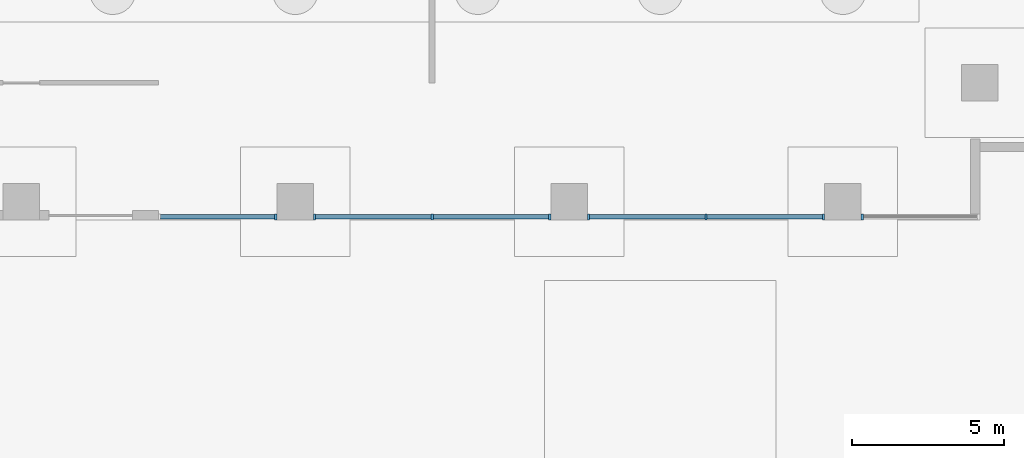
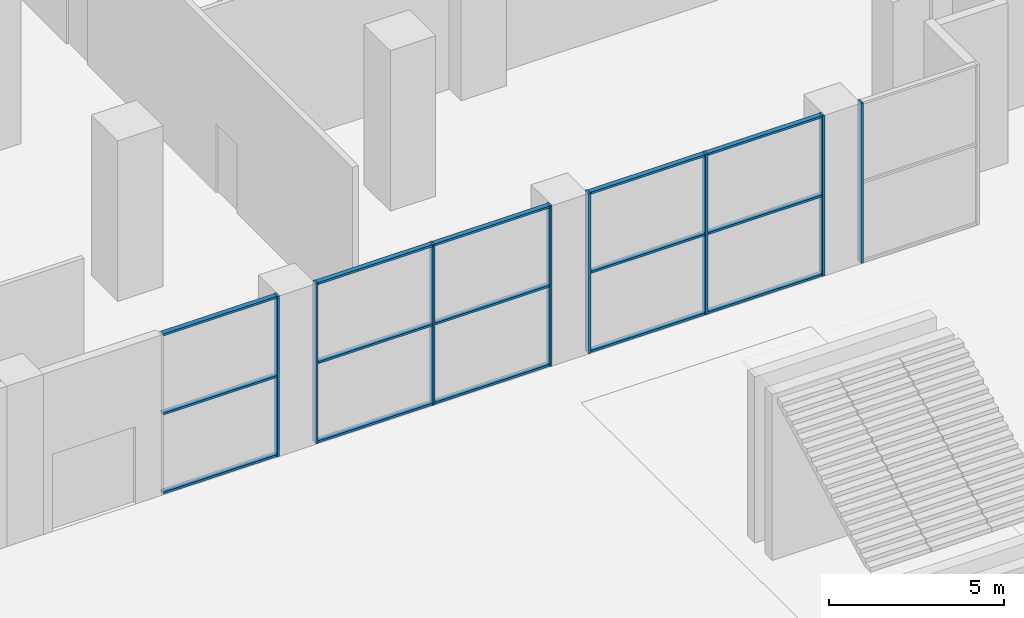
# One storey, part 3 of 20: 23 members, 4 elements without a shape of their own.
"""IFC4 building model written with IfcOpenShell, lengths in metres."""

from ifc_helpers import new_model, si_unit, direction, frame, origin, origin_2d, place, context, subcontext, project, spatial, rectangle, extrude, material, material_profile, profile_set, type_object, element, aggregate, save


model = new_model("IFC4")

# Units and contexts
model_context = context("Model", 3, precision=1e-05, world=origin(), true_north=direction((0.0, 1.0)))
body_context = subcontext(model_context, "Body", "Model", "MODEL_VIEW")
ifc_project = project(units=[si_unit("LENGTHUNIT", "METRE"), si_unit("AREAUNIT", "SQUARE_METRE"), si_unit("VOLUMEUNIT", "CUBIC_METRE"), si_unit("PLANEANGLEUNIT", "RADIAN"), si_unit("MASSUNIT", "GRAM", prefix="KILO")], contexts=[model_context])

# Site, building, storey
site_placement = place(None, origin())
site = spatial("IfcSite", under=ifc_project, at=site_placement, CompositionType="ELEMENT")
building_placement = place(site_placement, origin())
building = spatial("IfcBuilding", under=site, at=building_placement, Name="Orbiselva Terraces", CompositionType="ELEMENT")
storey_placement = place(building_placement, origin())
storey = spatial("IfcBuildingStorey", under=building, at=storey_placement, Name="L00", CompositionType="ELEMENT", Elevation=0.0)

# Curtain wall, member
ifc_material_1 = material(Name="Clear low-e glazing in aluminium frame", Category="aluminium")
curtain_wall_type = type_object("IfcCurtainWallType", Name="ENV-CW-LOBBY", PredefinedType="NOTDEFINED", material=ifc_material_1)
curtain_wall_1_placement = place(storey_placement, origin())
curtain_wall_1 = element("IfcCurtainWall", 1, at=curtain_wall_1_placement, inside=storey, type_object=curtain_wall_type, Name="Curtain wall L00 S", PredefinedType="NOTDEFINED")
ifc_material_2 = material(Name="Anodised aluminium", Category="aluminium")
ifc_material_profile_1 = material_profile(ifc_material_2, rectangle(XDim=0.2, YDim=0.075, at=origin_2d()), Name="AL 75x200")
ifc_profile_set_1 = profile_set([ifc_material_profile_1], Name="Anodised aluminium")
member_type_1 = type_object("IfcMemberType", Name="ENV-CW-LOBBY-MULLION-75x200", PredefinedType="MULLION", material=ifc_profile_set_1)
member_1_placement = place(storey_placement, frame((8.3625, -31.4, 0.0), z_axis=(0.0, 0.0, 1.0), x_axis=(0.0, 1.0, 0.0)))
member_1 = element("IfcMember", 2, at=member_1_placement, type_object=member_type_1, Name="CW1 mullion 2", PredefinedType="MULLION", context=body_context, shape_type="SweptSolid", body=[
    extrude(rectangle(XDim=0.2, YDim=0.075, at=origin_2d()), origin(), (0.0, 0.0, 1.0), 5.6),
])

# Curtain wall, members
curtain_wall_2_placement = place(storey_placement, origin())
curtain_wall_2 = element("IfcCurtainWall", 3, at=curtain_wall_2_placement, inside=storey, type_object=curtain_wall_type, Name="Curtain wall L00 S", PredefinedType="NOTDEFINED")
member_2_placement = place(storey_placement, frame((9.6375, -31.4, 0.0), z_axis=(0.0, 0.0, 1.0), x_axis=(0.0, 1.0, 0.0)))
member_2 = element("IfcMember", 4, at=member_2_placement, type_object=member_type_1, Name="CW1 mullion 1", PredefinedType="MULLION", context=body_context, shape_type="SweptSolid", body=[
    extrude(rectangle(XDim=0.2, YDim=0.075, at=origin_2d()), origin(), (0.0, 0.0, 1.0), 5.6),
])
member_3_placement = place(storey_placement, frame((13.5, -31.4, 0.0), z_axis=(0.0, 0.0, 1.0), x_axis=(0.0, 1.0, 0.0)))
member_3 = element("IfcMember", 5, at=member_3_placement, type_object=member_type_1, Name="CW1 mullion 2", PredefinedType="MULLION", context=body_context, shape_type="SweptSolid", body=[
    extrude(rectangle(XDim=0.2, YDim=0.075, at=origin_2d()), origin(), (0.0, 0.0, 1.0), 5.6),
])
member_4_placement = place(storey_placement, frame((17.3625, -31.4, 0.0), z_axis=(0.0, 0.0, 1.0), x_axis=(0.0, 1.0, 0.0)))
member_4 = element("IfcMember", 6, at=member_4_placement, type_object=member_type_1, Name="CW1 mullion 3", PredefinedType="MULLION", context=body_context, shape_type="SweptSolid", body=[
    extrude(rectangle(XDim=0.2, YDim=0.075, at=origin_2d()), origin(), (0.0, 0.0, 1.0), 5.6),
])

curtain_wall_3_placement = place(storey_placement, origin())
curtain_wall_3 = element("IfcCurtainWall", 7, at=curtain_wall_3_placement, inside=storey, type_object=curtain_wall_type, Name="Curtain wall L00 S", PredefinedType="NOTDEFINED")
member_5_placement = place(storey_placement, frame((18.6375, -31.4, 0.0), z_axis=(0.0, 0.0, 1.0), x_axis=(0.0, 1.0, 0.0)))
member_5 = element("IfcMember", 8, at=member_5_placement, type_object=member_type_1, Name="CW1 mullion 1", PredefinedType="MULLION", context=body_context, shape_type="SweptSolid", body=[
    extrude(rectangle(XDim=0.2, YDim=0.075, at=origin_2d()), origin(), (0.0, 0.0, 1.0), 5.6),
])
member_6_placement = place(storey_placement, frame((22.5, -31.4, 0.0), z_axis=(0.0, 0.0, 1.0), x_axis=(0.0, 1.0, 0.0)))
member_6 = element("IfcMember", 9, at=member_6_placement, type_object=member_type_1, Name="CW1 mullion 2", PredefinedType="MULLION", context=body_context, shape_type="SweptSolid", body=[
    extrude(rectangle(XDim=0.2, YDim=0.075, at=origin_2d()), origin(), (0.0, 0.0, 1.0), 5.6),
])
member_7_placement = place(storey_placement, frame((26.3625, -31.4, 0.0), z_axis=(0.0, 0.0, 1.0), x_axis=(0.0, 1.0, 0.0)))
member_7 = element("IfcMember", 10, at=member_7_placement, type_object=member_type_1, Name="CW1 mullion 3", PredefinedType="MULLION", context=body_context, shape_type="SweptSolid", body=[
    extrude(rectangle(XDim=0.2, YDim=0.075, at=origin_2d()), origin(), (0.0, 0.0, 1.0), 5.6),
])

# Curtain wall, member
curtain_wall_4_placement = place(storey_placement, origin())
curtain_wall_4 = element("IfcCurtainWall", 11, at=curtain_wall_4_placement, inside=storey, type_object=curtain_wall_type, Name="Curtain wall L00 S", PredefinedType="NOTDEFINED")
member_8_placement = place(storey_placement, frame((27.6375, -31.4, 0.0), z_axis=(0.0, 0.0, 1.0), x_axis=(0.0, 1.0, 0.0)))
member_8 = element("IfcMember", 12, at=member_8_placement, type_object=member_type_1, Name="CW1 mullion 1", PredefinedType="MULLION", context=body_context, shape_type="SweptSolid", body=[
    extrude(rectangle(XDim=0.2, YDim=0.075, at=origin_2d()), origin(), (0.0, 0.0, 1.0), 5.6),
])
aggregate(curtain_wall_4, [member_8])

# Member
ifc_material_profile_2 = material_profile(ifc_material_2, rectangle(XDim=0.16, YDim=0.075, at=origin_2d()), Name="AL 75x160")
ifc_profile_set_2 = profile_set([ifc_material_profile_2], Name="Anodised aluminium")
member_type_2 = type_object("IfcMemberType", Name="ENV-CW-LOBBY-TRANSOM-75x160", PredefinedType="USERDEFINED", material=ifc_profile_set_2)
member_9_placement = place(storey_placement, frame((4.575, -31.4, 0.0375), z_axis=(1.0, 0.0, 0.0), x_axis=(0.0, 1.0, 0.0)))
member_9 = element("IfcMember", 13, at=member_9_placement, type_object=member_type_2, Name="CW1 transom 1.1", ObjectType="TRANSOM", PredefinedType="USERDEFINED", context=body_context, shape_type="SweptSolid", body=[
    extrude(rectangle(XDim=0.16, YDim=0.075, at=origin_2d()), origin(), (0.0, 0.0, 1.0), 3.75),
])

member_10_placement = place(storey_placement, frame((4.575, -31.4, 2.8), z_axis=(1.0, 0.0, 0.0), x_axis=(0.0, 1.0, 0.0)))
member_10 = element("IfcMember", 14, at=member_10_placement, type_object=member_type_2, Name="CW1 transom 1.2", ObjectType="TRANSOM", PredefinedType="USERDEFINED", context=body_context, shape_type="SweptSolid", body=[
    extrude(rectangle(XDim=0.16, YDim=0.075, at=origin_2d()), origin(), (0.0, 0.0, 1.0), 3.75),
])

member_11_placement = place(storey_placement, frame((4.575, -31.4, 5.5625), z_axis=(1.0, 0.0, 0.0), x_axis=(0.0, 1.0, 0.0)))
member_11 = element("IfcMember", 15, at=member_11_placement, type_object=member_type_2, Name="CW1 transom 1.3", ObjectType="TRANSOM", PredefinedType="USERDEFINED", context=body_context, shape_type="SweptSolid", body=[
    extrude(rectangle(XDim=0.16, YDim=0.075, at=origin_2d()), origin(), (0.0, 0.0, 1.0), 3.75),
])

aggregate(curtain_wall_1, [member_1, member_9, member_10, member_11])

member_12_placement = place(storey_placement, frame((9.675, -31.4, 0.0375), z_axis=(1.0, 0.0, 0.0), x_axis=(0.0, 1.0, 0.0)))
member_12 = element("IfcMember", 16, at=member_12_placement, type_object=member_type_2, Name="CW1 transom 1.1", ObjectType="TRANSOM", PredefinedType="USERDEFINED", context=body_context, shape_type="SweptSolid", body=[
    extrude(rectangle(XDim=0.16, YDim=0.075, at=origin_2d()), origin(), (0.0, 0.0, 1.0), 3.7875),
])

member_13_placement = place(storey_placement, frame((9.675, -31.4, 2.8), z_axis=(1.0, 0.0, 0.0), x_axis=(0.0, 1.0, 0.0)))
member_13 = element("IfcMember", 17, at=member_13_placement, type_object=member_type_2, Name="CW1 transom 1.2", ObjectType="TRANSOM", PredefinedType="USERDEFINED", context=body_context, shape_type="SweptSolid", body=[
    extrude(rectangle(XDim=0.16, YDim=0.075, at=origin_2d()), origin(), (0.0, 0.0, 1.0), 3.7875),
])

member_14_placement = place(storey_placement, frame((9.675, -31.4, 5.5625), z_axis=(1.0, 0.0, 0.0), x_axis=(0.0, 1.0, 0.0)))
member_14 = element("IfcMember", 18, at=member_14_placement, type_object=member_type_2, Name="CW1 transom 1.3", ObjectType="TRANSOM", PredefinedType="USERDEFINED", context=body_context, shape_type="SweptSolid", body=[
    extrude(rectangle(XDim=0.16, YDim=0.075, at=origin_2d()), origin(), (0.0, 0.0, 1.0), 3.7875),
])

member_15_placement = place(storey_placement, frame((13.5375, -31.4, 0.0375), z_axis=(1.0, 0.0, 0.0), x_axis=(0.0, 1.0, 0.0)))
member_15 = element("IfcMember", 19, at=member_15_placement, type_object=member_type_2, Name="CW1 transom 2.1", ObjectType="TRANSOM", PredefinedType="USERDEFINED", context=body_context, shape_type="SweptSolid", body=[
    extrude(rectangle(XDim=0.16, YDim=0.075, at=origin_2d()), origin(), (0.0, 0.0, 1.0), 3.7875),
])

member_16_placement = place(storey_placement, frame((13.5375, -31.4, 2.8), z_axis=(1.0, 0.0, 0.0), x_axis=(0.0, 1.0, 0.0)))
member_16 = element("IfcMember", 20, at=member_16_placement, type_object=member_type_2, Name="CW1 transom 2.2", ObjectType="TRANSOM", PredefinedType="USERDEFINED", context=body_context, shape_type="SweptSolid", body=[
    extrude(rectangle(XDim=0.16, YDim=0.075, at=origin_2d()), origin(), (0.0, 0.0, 1.0), 3.7875),
])

member_17_placement = place(storey_placement, frame((13.5375, -31.4, 5.5625), z_axis=(1.0, 0.0, 0.0), x_axis=(0.0, 1.0, 0.0)))
member_17 = element("IfcMember", 21, at=member_17_placement, type_object=member_type_2, Name="CW1 transom 2.3", ObjectType="TRANSOM", PredefinedType="USERDEFINED", context=body_context, shape_type="SweptSolid", body=[
    extrude(rectangle(XDim=0.16, YDim=0.075, at=origin_2d()), origin(), (0.0, 0.0, 1.0), 3.7875),
])

aggregate(curtain_wall_2, [member_2, member_3, member_4, member_12, member_13, member_14, member_15, member_16, member_17])

member_18_placement = place(storey_placement, frame((18.675, -31.4, 0.0375), z_axis=(1.0, 0.0, 0.0), x_axis=(0.0, 1.0, 0.0)))
member_18 = element("IfcMember", 22, at=member_18_placement, type_object=member_type_2, Name="CW1 transom 1.1", ObjectType="TRANSOM", PredefinedType="USERDEFINED", context=body_context, shape_type="SweptSolid", body=[
    extrude(rectangle(XDim=0.16, YDim=0.075, at=origin_2d()), origin(), (0.0, 0.0, 1.0), 3.7875),
])

member_19_placement = place(storey_placement, frame((18.675, -31.4, 2.8), z_axis=(1.0, 0.0, 0.0), x_axis=(0.0, 1.0, 0.0)))
member_19 = element("IfcMember", 23, at=member_19_placement, type_object=member_type_2, Name="CW1 transom 1.2", ObjectType="TRANSOM", PredefinedType="USERDEFINED", context=body_context, shape_type="SweptSolid", body=[
    extrude(rectangle(XDim=0.16, YDim=0.075, at=origin_2d()), origin(), (0.0, 0.0, 1.0), 3.7875),
])

member_20_placement = place(storey_placement, frame((18.675, -31.4, 5.5625), z_axis=(1.0, 0.0, 0.0), x_axis=(0.0, 1.0, 0.0)))
member_20 = element("IfcMember", 24, at=member_20_placement, type_object=member_type_2, Name="CW1 transom 1.3", ObjectType="TRANSOM", PredefinedType="USERDEFINED", context=body_context, shape_type="SweptSolid", body=[
    extrude(rectangle(XDim=0.16, YDim=0.075, at=origin_2d()), origin(), (0.0, 0.0, 1.0), 3.7875),
])

member_21_placement = place(storey_placement, frame((22.5375, -31.4, 0.0375), z_axis=(1.0, 0.0, 0.0), x_axis=(0.0, 1.0, 0.0)))
member_21 = element("IfcMember", 25, at=member_21_placement, type_object=member_type_2, Name="CW1 transom 2.1", ObjectType="TRANSOM", PredefinedType="USERDEFINED", context=body_context, shape_type="SweptSolid", body=[
    extrude(rectangle(XDim=0.16, YDim=0.075, at=origin_2d()), origin(), (0.0, 0.0, 1.0), 3.7875),
])

member_22_placement = place(storey_placement, frame((22.5375, -31.4, 2.8), z_axis=(1.0, 0.0, 0.0), x_axis=(0.0, 1.0, 0.0)))
member_22 = element("IfcMember", 26, at=member_22_placement, type_object=member_type_2, Name="CW1 transom 2.2", ObjectType="TRANSOM", PredefinedType="USERDEFINED", context=body_context, shape_type="SweptSolid", body=[
    extrude(rectangle(XDim=0.16, YDim=0.075, at=origin_2d()), origin(), (0.0, 0.0, 1.0), 3.7875),
])

member_23_placement = place(storey_placement, frame((22.5375, -31.4, 5.5625), z_axis=(1.0, 0.0, 0.0), x_axis=(0.0, 1.0, 0.0)))
member_23 = element("IfcMember", 27, at=member_23_placement, type_object=member_type_2, Name="CW1 transom 2.3", ObjectType="TRANSOM", PredefinedType="USERDEFINED", context=body_context, shape_type="SweptSolid", body=[
    extrude(rectangle(XDim=0.16, YDim=0.075, at=origin_2d()), origin(), (0.0, 0.0, 1.0), 3.7875),
])

aggregate(curtain_wall_3, [member_5, member_6, member_7, member_18, member_19, member_20, member_21, member_22, member_23])

save(model, "model.ifc")
